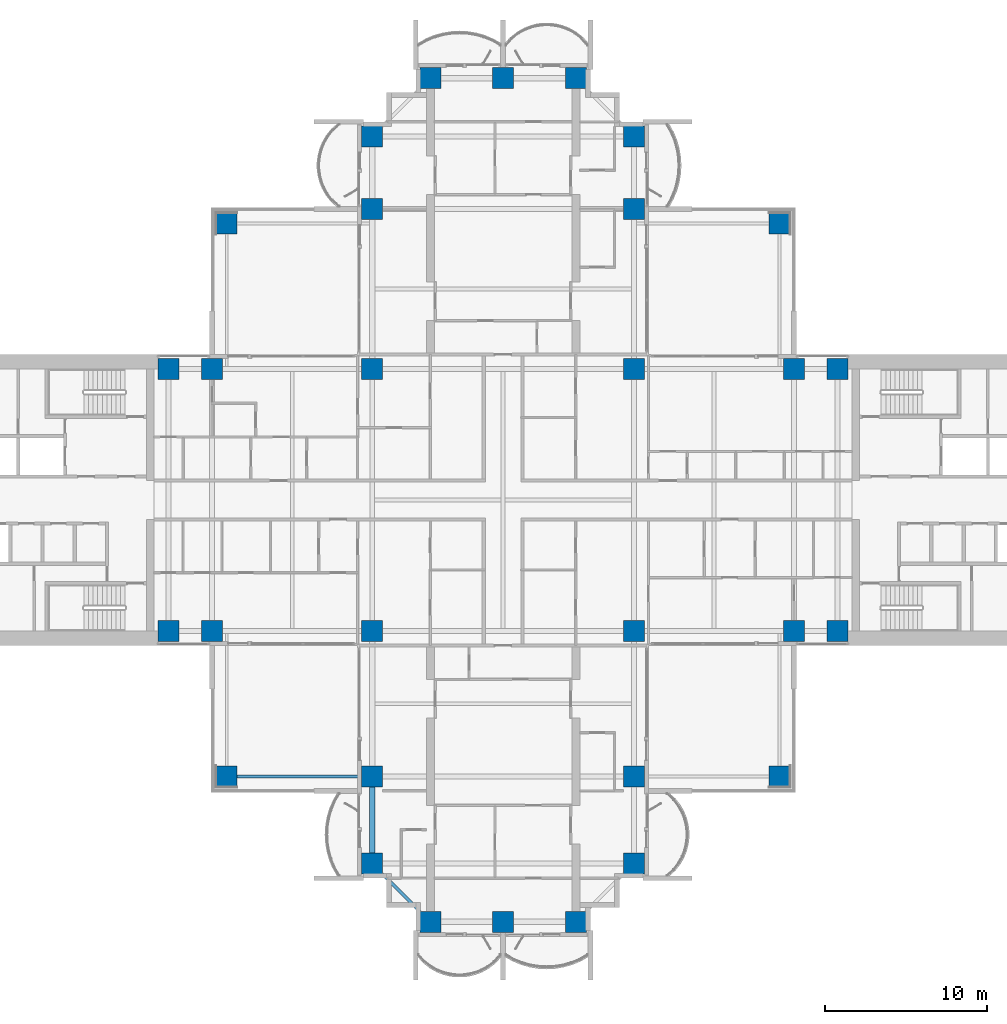
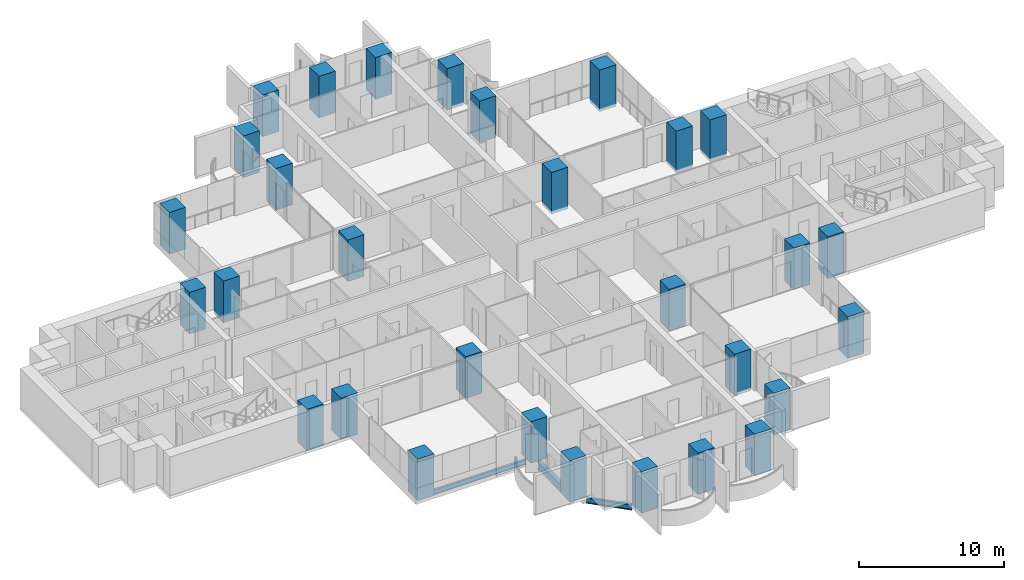
# One storey, part 1 of 21: 30 columns, 3 beams.
"""IFC4 building model written with IfcOpenShell, lengths in metres."""

from ifc_helpers import new_model, si_unit, direction, frame, origin, origin_2d, place, context, subcontext, project, spatial, rectangle, i_section, extrude, material, material_profile, profile_set, type_object, element, save


model = new_model("IFC4")

# Units and contexts
model_context = context("Model", 3, precision=1e-05, world=origin(), true_north=direction((0.0, 1.0)))
body_context = subcontext(model_context, "Body", "Model", "MODEL_VIEW")
ifc_project = project(units=[si_unit("LENGTHUNIT", "METRE"), si_unit("AREAUNIT", "SQUARE_METRE"), si_unit("VOLUMEUNIT", "CUBIC_METRE"), si_unit("PLANEANGLEUNIT", "RADIAN"), si_unit("MASSUNIT", "GRAM", prefix="KILO")], contexts=[model_context])

# Site, building, storey
site_placement = place(None, origin())
site = spatial("IfcSite", under=ifc_project, at=site_placement, CompositionType="ELEMENT")
building_placement = place(site_placement, origin())
building = spatial("IfcBuilding", under=site, at=building_placement, Name="Perihelion Cross Residences", CompositionType="ELEMENT")
storey_placement = place(building_placement, frame((0.0, 0.0, 40.0)))
storey = spatial("IfcBuildingStorey", under=building, at=storey_placement, Name="L06", CompositionType="ELEMENT", Elevation=40.0)

# Columns
ifc_material_1 = material(Name="Concrete C70/85", Category="concrete")
ifc_material_profile_1 = material_profile(ifc_material_1, rectangle(XDim=1.300048828125, YDim=1.300048828125, at=origin_2d()), Name="RC 1300x1300")
ifc_profile_set_1 = profile_set([ifc_material_profile_1], Name="Concrete C70/85")
column_type = type_object("IfcColumnType", Name="Reinforced concrete column 1300x1300 C70/85", PredefinedType="COLUMN", material=ifc_profile_set_1)
for number, where, z_axis, x_axis, name in (
    (1, (-20.699951171875, -8.10009765625, -0.25), (0.0, 0.0, 1.0), (1.0, 0.0, 0.0), "Column C017 L06 no. 1"),
    (2, (-20.699951171875, 8.10009765625, -0.25), (0.0, 0.0, 1.0), (1.0, 0.0, 0.0), "Column C010 L06 no. 1"),
    (3, (-18.0, -8.10009765625, -0.25), (0.0, 0.0, 1.0), (1.0, 0.0, 0.0), "Column C018 L06 no. 1"),
    (4, (-18.0, 8.10009765625, -0.25), (0.0, 0.0, 1.0), (1.0, 0.0, 0.0), "Column C011 L06 no. 1"),
    (5, (-8.10009765625, -22.5, -0.25), (0.0, 0.0, 1.0), (1.0, 0.0, 0.0), "Column C040 L06 no. 1"),
    (6, (-8.10009765625, -17.10009765625, -0.25), (0.0, 0.0, 1.0), (1.0, 0.0, 0.0), "Column C031 L06 no. 1"),
    (7, (-8.10009765625, -8.10009765625, -0.25), (0.0, 0.0, 1.0), (1.0, 0.0, 0.0), "Column C019 L06 no. 1"),
    (8, (-8.10009765625, 8.10009765625, -0.25), (0.0, 0.0, 1.0), (1.0, 0.0, 0.0), "Column C012 L06 no. 1"),
    (9, (-8.10009765625, 18.0, -0.25), (0.0, 0.0, 1.0), (1.0, 0.0, 0.0), "Column C006 L06 no. 1"),
    (10, (-8.10009765625, 22.5, -0.25), (0.0, 0.0, 1.0), (1.0, 0.0, 0.0), "Column C004 L06 no. 1"),
    (11, (-4.5, -26.10009765625, -0.25), (0.0, 0.0, 1.0), (1.0, 0.0, 0.0), "Column C042 L06 no. 1"),
    (12, (-4.5, 26.10009765625, -0.25), (0.0, 0.0, 1.0), (1.0, 0.0, 0.0), "Column C001 L06 no. 1"),
    (13, (0.0, -26.10009765625, -0.25), (0.0, 0.0, 1.0), (1.0, 0.0, 0.0), "Column C043 L06 no. 1"),
    (14, (0.0, 26.10009765625, -0.25), (0.0, 0.0, 1.0), (1.0, 0.0, 0.0), "Column C002 L06 no. 1"),
    (15, (4.5, -26.10009765625, -0.25), (0.0, 0.0, 1.0), (1.0, 0.0, 0.0), "Column C044 L06 no. 1"),
    (16, (4.5, 26.10009765625, -0.25), (0.0, 0.0, 1.0), (1.0, 0.0, 0.0), "Column C003 L06 no. 1"),
    (17, (8.10009765625, -22.5, -0.25), (0.0, 0.0, 1.0), (1.0, 0.0, 0.0), "Column C041 L06 no. 1"),
    (18, (8.10009765625, -17.10009765625, -0.25), (0.0, 0.0, 1.0), (1.0, 0.0, 0.0), "Column C035 L06 no. 1"),
    (19, (8.10009765625, -8.10009765625, -0.25), (0.0, 0.0, 1.0), (1.0, 0.0, 0.0), "Column C020 L06 no. 1"),
    (20, (8.10009765625, 8.10009765625, -0.25), (0.0, 0.0, 1.0), (1.0, 0.0, 0.0), "Column C014 L06 no. 1"),
    (21, (8.10009765625, 18.0, -0.25), (0.0, 0.0, 1.0), (1.0, 0.0, 0.0), "Column C007 L06 no. 1"),
    (22, (8.10009765625, 22.5, -0.25), (0.0, 0.0, 1.0), (1.0, 0.0, 0.0), "Column C005 L06 no. 1"),
    (23, (18.0, -8.10009765625, -0.25), (0.0, 0.0, 1.0), (1.0, 0.0, 0.0), "Column C021 L06 no. 1"),
    (24, (18.0, 8.10009765625, -0.25), (0.0, 0.0, 1.0), (1.0, 0.0, 0.0), "Column C015 L06 no. 1"),
    (25, (20.699951171875, -8.10009765625, -0.25), (0.0, 0.0, 1.0), (1.0, 0.0, 0.0), "Column C022 L06 no. 1"),
    (26, (20.699951171875, 8.10009765625, -0.25), (0.0, 0.0, 1.0), (1.0, 0.0, 0.0), "Column C016 L06 no. 1"),
    (27, (17.10009765625, 17.10009765625, -0.25), (0.0, 0.0, 1.0), (1.0, 0.0, 0.0), "Column C009 L06 no. 1"),
    (28, (-17.10009765625, 17.10009765625, -0.25), (0.0, 0.0, 1.0), (1.0, 0.0, 0.0), "Column C008 L06 no. 1"),
    (29, (-17.10009765625, -17.10009765625, -0.25), (0.0, 0.0, 1.0), (1.0, 0.0, 0.0), "Column C030 L06 no. 1"),
    (30, (17.10009765625, -17.10009765625, -0.25), (0.0, 0.0, 1.0), (1.0, 0.0, 0.0), "Column C036 L06 no. 1"),
):
    element("IfcColumn", number, at=place(storey_placement, frame(where, z_axis=z_axis, x_axis=x_axis)), inside=storey, type_object=column_type, Name=name, PredefinedType="COLUMN", context=body_context, shape_type="SweptSolid", body=[
        extrude(rectangle(XDim=1.300048828125, YDim=1.300048828125, at=origin_2d()), origin(), (0.0, 0.0, 1.0), 3.5),
    ])

# Beams
ifc_material_2 = material(Name="Steel S355", Category="steel")
ifc_material_profile_2 = material_profile(ifc_material_2, i_section(OverallWidth=0.177978515625, OverallDepth=0.406005859375, WebThickness=0.0078125, FlangeThickness=0.0126953125, at=origin_2d()), Name="W410x60")
ifc_profile_set_2 = profile_set([ifc_material_profile_2], Name="Steel S355")
beam_type_1 = type_object("IfcBeamType", Name="Core edge beam W410x60", PredefinedType="BEAM", material=ifc_profile_set_2)
beam_1_placement = place(storey_placement, frame((-8.75, -17.10009765625, -0.452880859375), z_axis=(-1.0, 0.0, 0.0), x_axis=(0.0, -1.0, 0.0)))
element("IfcBeam", 31, at=beam_1_placement, inside=storey, type_object=beam_type_1, Name="Core edge beam TB2 L06 corner no. 2", PredefinedType="BEAM", context=body_context, shape_type="SweptSolid", body=[
    extrude(i_section(OverallWidth=0.177978515625, OverallDepth=0.406005859375, WebThickness=0.0078125, FlangeThickness=0.0126953125, at=origin_2d()), origin(), (0.0, 0.0, 1.0), 7.699951171875),
])
ifc_material_3 = material(Name="Steel S355", Category="steel")
ifc_material_profile_3 = material_profile(ifc_material_3, i_section(OverallWidth=0.324951171875, OverallDepth=0.616943359375, WebThickness=0.013916015625, FlangeThickness=0.021484375, at=origin_2d()), Name="W610x174")
ifc_profile_set_3 = profile_set([ifc_material_profile_3], Name="Steel S355")
beam_type_2 = type_object("IfcBeamType", Name="Edge beam W610x174", PredefinedType="SPANDREL", material=ifc_profile_set_3)
beam_2_placement = place(storey_placement, frame((-8.10009765625, -17.75, -0.55859375), z_axis=(0.0, -1.0, 0.0), x_axis=(1.0, 0.0, 0.0)))
element("IfcBeam", 32, at=beam_2_placement, inside=storey, type_object=beam_type_2, Name="Edge beam SB2 L06 no. 5", PredefinedType="SPANDREL", context=body_context, shape_type="SweptSolid", body=[
    extrude(i_section(OverallWidth=0.324951171875, OverallDepth=0.616943359375, WebThickness=0.013916015625, FlangeThickness=0.021484375, at=origin_2d()), origin(), (0.0, 0.0, 1.0), 4.10009765625),
])
ifc_material_4 = material(Name="Steel S355", Category="steel")
ifc_material_profile_4 = material_profile(ifc_material_4, i_section(OverallWidth=0.194091796875, OverallDepth=0.469970703125, WebThickness=0.0126953125, FlangeThickness=0.0205078125, at=origin_2d()), Name="W460x106")
ifc_profile_set_4 = profile_set([ifc_material_profile_4], Name="Steel S355")
beam_type_3 = type_object("IfcBeamType", Name="Serration edge beam W460x106", PredefinedType="BEAM", material=ifc_profile_set_4)
beam_3_placement = place(storey_placement, frame((-7.449951171875, -23.14990234375, -0.485107421875), z_axis=(0.707106781187, -0.707106781187, 0.0), x_axis=(0.707106781187, 0.707106781187, 0.0)))
element("IfcBeam", 33, at=beam_3_placement, inside=storey, type_object=beam_type_3, Name="Serration edge beam EB2 L06 no. 2", PredefinedType="BEAM", context=body_context, shape_type="SweptSolid", body=[
    extrude(i_section(OverallWidth=0.194091796875, OverallDepth=0.469970703125, WebThickness=0.0126953125, FlangeThickness=0.0205078125, at=origin_2d()), origin(), (0.0, 0.0, 1.0), 3.252685546875),
])

save(model, "model.ifc")
